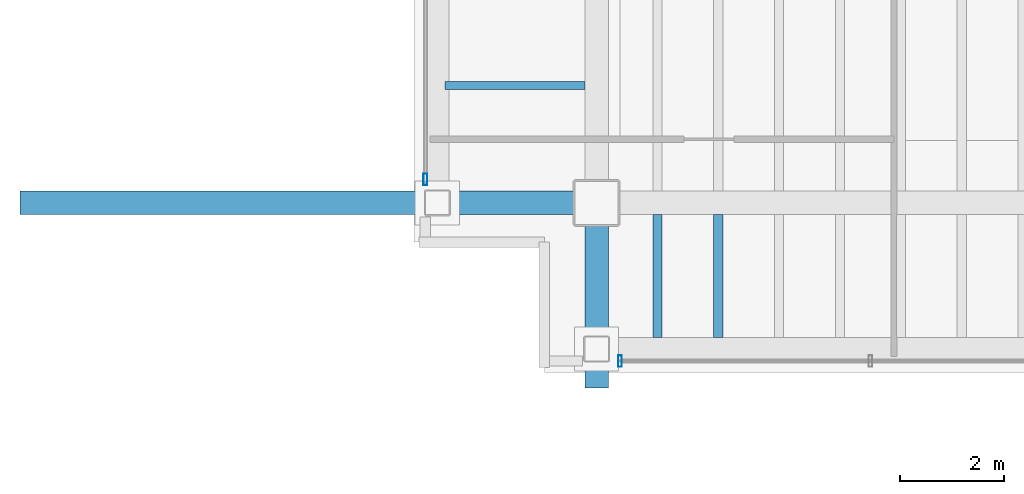
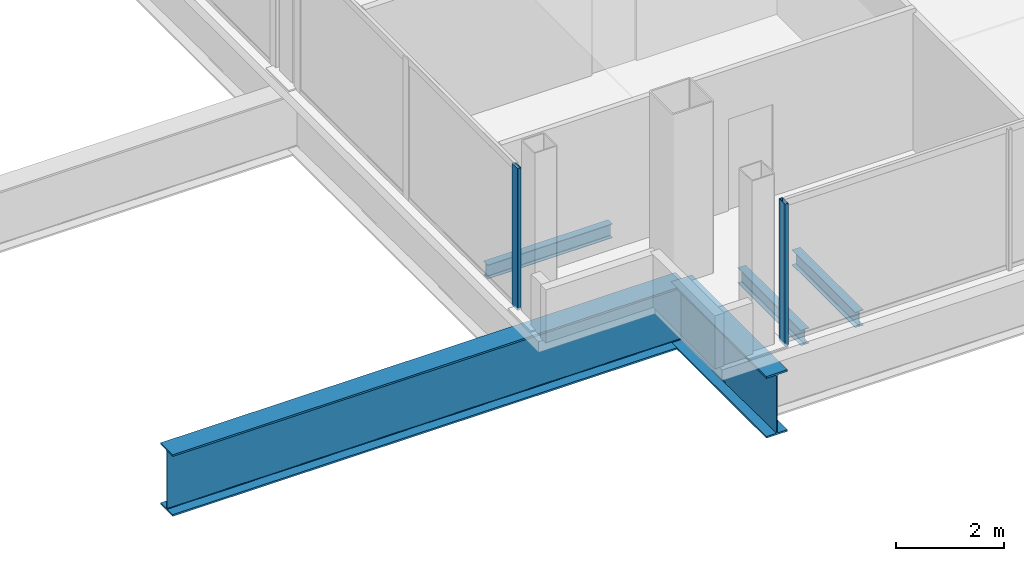
# One storey, part 2 of 19: 5 beams, 2 members, 2 elements without a shape of their own.
"""IFC4 building model written with IfcOpenShell, lengths in metres."""

from ifc_helpers import new_model, si_unit, direction, frame, origin, origin_2d, place, context, subcontext, project, spatial, hollow_rectangle, i_section, extrude, material, material_profile, profile_set, type_object, element, aggregate, save


model = new_model("IFC4")

# Units and contexts
model_context = context("Model", 3, precision=1e-05, world=origin(), true_north=direction((0.0, 1.0)))
body_context = subcontext(model_context, "Body", "Model", "MODEL_VIEW")
ifc_project = project(units=[si_unit("LENGTHUNIT", "METRE"), si_unit("AREAUNIT", "SQUARE_METRE"), si_unit("VOLUMEUNIT", "CUBIC_METRE"), si_unit("PLANEANGLEUNIT", "RADIAN"), si_unit("MASSUNIT", "GRAM", prefix="KILO")], contexts=[model_context])

# Site, building, storey
site_placement = place(None, origin())
site = spatial("IfcSite", under=ifc_project, at=site_placement, CompositionType="ELEMENT")
building_placement = place(site_placement, origin())
building = spatial("IfcBuilding", under=site, at=building_placement, Name="Noeulbin Bourse Tower", CompositionType="ELEMENT")
storey_placement = place(building_placement, frame((0.0, 0.0, 169.5)))
storey = spatial("IfcBuildingStorey", under=building, at=storey_placement, Name="L42", CompositionType="ELEMENT", Elevation=169.5)

# Beams
ifc_material_1 = material(Name="Steel S355", Category="steel")
ifc_material_profile_1 = material_profile(ifc_material_1, i_section(OverallWidth=0.159912109375, OverallDepth=0.320068359375, WebThickness=0.006591796875, FlangeThickness=0.010009765625, FilletRadius=0.012939453125, at=origin_2d()), Name="H-320x160x6.5x10", Category="LoadBearing")
ifc_profile_set_1 = profile_set([ifc_material_profile_1], Name="Steel S355")
beam_type_1 = type_object("IfcBeamType", Name="BM-JST-320", PredefinedType="JOIST", material=ifc_profile_set_1)
beam_1_placement = place(storey_placement, frame((10.60009765625, 22.25, -0.39990234375), z_axis=(1.0, 0.0, 0.0), x_axis=(0.0, 1.0, 0.0)))
element("IfcBeam", 1, at=beam_1_placement, inside=storey, type_object=beam_type_1, Name="Wing Composite Joist L42-W65", PredefinedType="JOIST", context=body_context, shape_type="SweptSolid", body=[
    extrude(i_section(OverallWidth=0.159912109375, OverallDepth=0.320068359375, WebThickness=0.006591796875, FlangeThickness=0.010009765625, FilletRadius=0.012939453125, at=origin_2d()), origin(), (0.0, 0.0, 1.0), 2.6748046875),
])
ifc_material_profile_2 = material_profile(ifc_material_1, i_section(OverallWidth=0.175048828125, OverallDepth=0.35009765625, WebThickness=0.007080078125, FlangeThickness=0.010986328125, FilletRadius=0.013916015625, at=origin_2d()), Name="H-350x175x7x11", Category="LoadBearing")
ifc_profile_set_2 = profile_set([ifc_material_profile_2], Name="Steel S355")
beam_type_2 = type_object("IfcBeamType", Name="BM-JST-350", PredefinedType="JOIST", material=ifc_profile_set_2)
for number, where, z_axis, x_axis, name in (
    (2, (14.666748046875, 17.425048828125, -0.4150390625), (0.0, 1.0, 0.0), (-1.0, 0.0, 0.0), "Tower Composite Joist L42-01"),
    (3, (15.833251953125, 17.425048828125, -0.4150390625), (0.0, 1.0, 0.0), (-1.0, 0.0, 0.0), "Tower Composite Joist L42-04"),
):
    element("IfcBeam", number, at=place(storey_placement, frame(where, z_axis=z_axis, x_axis=x_axis)), inside=storey, type_object=beam_type_2, Name=name, PredefinedType="JOIST", context=body_context, shape_type="SweptSolid", body=[
        extrude(i_section(OverallWidth=0.175048828125, OverallDepth=0.35009765625, WebThickness=0.007080078125, FlangeThickness=0.010986328125, FilletRadius=0.013916015625, at=origin_2d()), origin(), (0.0, 0.0, 1.0), 2.349853515625),
    ])
ifc_material_2 = material(Name="Steel S460", Category="steel")
ifc_material_profile_3 = material_profile(ifc_material_2, i_section(OverallWidth=0.449951171875, OverallDepth=1.39990234375, WebThickness=0.02392578125, FlangeThickness=0.0400390625, FilletRadius=0.02392578125, at=origin_2d()), Name="PG-1400x450x24x40", Category="LoadBearing")
ifc_profile_set_3 = profile_set([ifc_material_profile_3], Name="Steel S460")
beam_type_3 = type_object("IfcBeamType", Name="BM-TRF-1400", PredefinedType="USERDEFINED", material=ifc_profile_set_3)
beam_2_placement = place(storey_placement, frame((2.449951171875, 20.0, -0.93994140625), z_axis=(1.0, 0.0, 0.0), x_axis=(0.0, 1.0, 0.0)))
element("IfcBeam", 4, at=beam_2_placement, inside=storey, type_object=beam_type_3, Name="Tower Primary Girder EW L42-1.1", ObjectType="GIRDER", PredefinedType="USERDEFINED", context=body_context, shape_type="SweptSolid", body=[
    extrude(i_section(OverallWidth=0.449951171875, OverallDepth=1.39990234375, WebThickness=0.02392578125, FlangeThickness=0.0400390625, FilletRadius=0.02392578125, at=origin_2d()), origin(), (0.0, 0.0, 1.0), 11.050048828125),
])
beam_3_placement = place(storey_placement, frame((13.5, 16.449951171875, -0.93994140625), z_axis=(0.0, 1.0, 0.0), x_axis=(-1.0, 0.0, 0.0)))
element("IfcBeam", 5, at=beam_3_placement, inside=storey, type_object=beam_type_3, Name="Tower Primary Girder NS L42-1.1", ObjectType="GIRDER", PredefinedType="USERDEFINED", context=body_context, shape_type="SweptSolid", body=[
    extrude(i_section(OverallWidth=0.449951171875, OverallDepth=1.39990234375, WebThickness=0.02392578125, FlangeThickness=0.0400390625, FilletRadius=0.02392578125, at=origin_2d()), origin(), (0.0, 0.0, 1.0), 3.550048828125),
])

# Curtain wall, member
ifc_material_3 = material(Name="Dark Tinted Triple Glazing", Category="glass")
curtain_wall_type = type_object("IfcCurtainWallType", Name="CW-SYS-3", PredefinedType="NOTDEFINED", material=ifc_material_3)
curtain_wall_1_placement = place(storey_placement, origin())
curtain_wall_1 = element("IfcCurtainWall", 6, at=curtain_wall_1_placement, inside=storey, type_object=curtain_wall_type, Name="Unitised Curtain Wall CW-L42-S1-S1", PredefinedType="NOTDEFINED")
ifc_material_4 = material(Name="Anodised Aluminium 6063-T6", Category="aluminium")
ifc_material_profile_4 = material_profile(ifc_material_4, hollow_rectangle(XDim=0.074951171875, YDim=0.219970703125, WallThickness=0.0048828125, InnerFilletRadius=0.00244140625, OuterFilletRadius=0.0048828125, at=origin_2d()), Name="ALU-MULL-75x220x5", Category="LoadBearing")
ifc_profile_set_4 = profile_set([ifc_material_profile_4], Name="Anodised Aluminium 6063-T6")
member_type = type_object("IfcMemberType", Name="CW-SYS-3-MUL", PredefinedType="MULLION", material=ifc_profile_set_4)
member_1_placement = place(storey_placement, frame((13.949951171875, 16.969970703125, -0.02001953125), z_axis=(0.0, 0.0, 1.0), x_axis=(1.0, 0.0, 0.0)))
member_1 = element("IfcMember", 7, at=member_1_placement, type_object=member_type, Name="Curtain Wall Mullion CW-L42-S1-S1-M00", PredefinedType="MULLION", context=body_context, shape_type="SweptSolid", body=[
    extrude(hollow_rectangle(XDim=0.074951171875, YDim=0.219970703125, WallThickness=0.0048828125, InnerFilletRadius=0.00244140625, OuterFilletRadius=0.0048828125, at=origin_2d()), origin(), (0.0, 0.0, 1.0), 3.219970703125),
])
aggregate(curtain_wall_1, [member_1])

curtain_wall_2_placement = place(storey_placement, origin())
curtain_wall_2 = element("IfcCurtainWall", 8, at=curtain_wall_2_placement, inside=storey, type_object=curtain_wall_type, Name="Unitised Curtain Wall CW-L42-W-S1", PredefinedType="NOTDEFINED")
member_2_placement = place(storey_placement, frame((10.219970703125, 20.449951171875, -0.02001953125), z_axis=(0.0, 0.0, 1.0), x_axis=(1.0, 0.0, 0.0)))
member_2 = element("IfcMember", 9, at=member_2_placement, type_object=member_type, Name="Curtain Wall Mullion CW-L42-W-S1-M00", PredefinedType="MULLION", context=body_context, shape_type="SweptSolid", body=[
    extrude(hollow_rectangle(XDim=0.074951171875, YDim=0.219970703125, WallThickness=0.0048828125, InnerFilletRadius=0.00244140625, OuterFilletRadius=0.0048828125, at=origin_2d()), origin(), (0.0, 0.0, 1.0), 3.219970703125),
])
aggregate(curtain_wall_2, [member_2])

save(model, "model.ifc")
